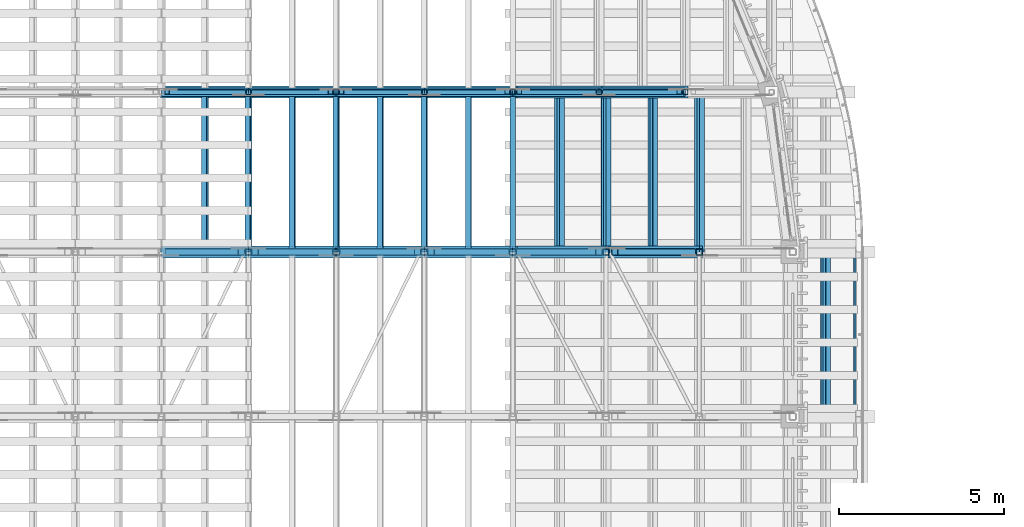
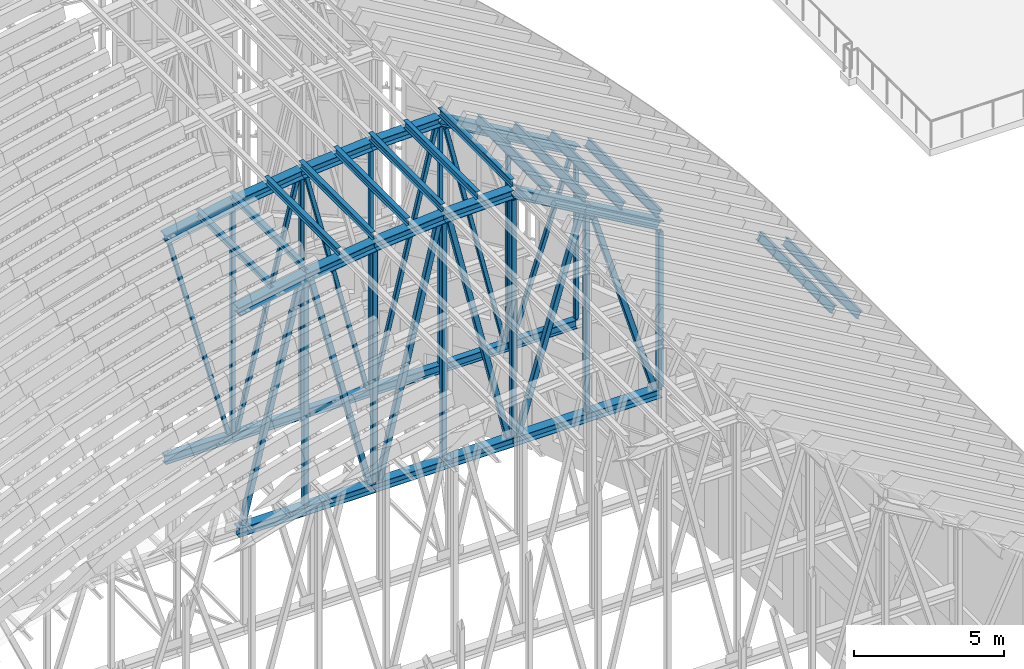
# One storey, part 25 of 105: 62 members.
"""IFC4 building model written with IfcOpenShell, lengths in metres."""

from ifc_helpers import new_model, si_unit, direction, frame, origin, origin_2d, place, context, subcontext, project, spatial, hollow_rectangle, i_section, extrude, material, material_profile, profile_set, type_object, element, save


model = new_model("IFC4")

# Units and contexts
model_context = context("Model", 3, precision=1e-05, world=origin(), true_north=direction((0.0, 1.0)))
body_context = subcontext(model_context, "Body", "Model", "MODEL_VIEW")
ifc_project = project(units=[si_unit("LENGTHUNIT", "METRE"), si_unit("AREAUNIT", "SQUARE_METRE"), si_unit("VOLUMEUNIT", "CUBIC_METRE"), si_unit("PLANEANGLEUNIT", "RADIAN"), si_unit("MASSUNIT", "GRAM", prefix="KILO")], contexts=[model_context])

# Site, building, storey
site_placement = place(None, origin())
site = spatial("IfcSite", under=ifc_project, at=site_placement, CompositionType="ELEMENT")
building_placement = place(site_placement, origin())
building = spatial("IfcBuilding", under=site, at=building_placement, Name="Wasatch Bagh Community Centre", CompositionType="ELEMENT")
storey_placement = place(building_placement, frame((0.0, 0.0, 16.800048828125)))
storey = spatial("IfcBuildingStorey", under=building, at=storey_placement, Name="L04", CompositionType="ELEMENT", Elevation=16.800048828125)

# Members
ifc_material_1 = material(Name="ASTM A500 Grade C steel", Category="steel")
ifc_material_profile_1 = material_profile(ifc_material_1, hollow_rectangle(XDim=0.15234375, YDim=0.15234375, WallThickness=0.0087890625, InnerFilletRadius=0.0087890625, OuterFilletRadius=0.017822265625, at=origin_2d()), Name="HSS6x6x3/8")
ifc_profile_set_1 = profile_set([ifc_material_profile_1], Name="ASTM A500 Grade C steel")
member_type_1 = type_object("IfcMemberType", Name="HSS6x6x3/8 brace", PredefinedType="BRACE", material=ifc_profile_set_1)
member_1_placement = place(storey_placement, frame((38.057373046875, 69.852783203125, 8.090576171875), z_axis=(-0.257394899199, 0.0, 0.966306300231), x_axis=(0.0, -1.0, 0.0)))
element("IfcMember", 1, at=member_1_placement, inside=storey, type_object=member_type_1, Name="MH.TN1.WB08", PredefinedType="BRACE", context=body_context, shape_type="SweptSolid", body=[
    extrude(hollow_rectangle(XDim=0.15234375, YDim=0.15234375, WallThickness=0.0087890625, InnerFilletRadius=0.0087890625, OuterFilletRadius=0.017822265625, at=origin_2d()), origin(), (0.0, 0.0, 1.0), 8.96728515625),
])
member_2_placement = place(storey_placement, frame((38.39111328125, 69.852783203125, 8.08935546875), z_axis=(0.239854300231, 0.0, 0.970808897086), x_axis=(0.0, 1.0, 0.0)))
element("IfcMember", 2, at=member_2_placement, inside=storey, type_object=member_type_1, Name="MH.TN1.WB09", PredefinedType="BRACE", context=body_context, shape_type="SweptSolid", body=[
    extrude(hollow_rectangle(XDim=0.15234375, YDim=0.15234375, WallThickness=0.0087890625, InnerFilletRadius=0.0087890625, OuterFilletRadius=0.017822265625, at=origin_2d()), origin(), (0.0, 0.0, 1.0), 9.70849609375),
])
member_3_placement = place(storey_placement, frame((43.401123046875, 69.852783203125, 8.08935546875), z_axis=(-0.240640528946, 0.0, 0.970614308481), x_axis=(0.0, -1.0, 0.0)))
element("IfcMember", 3, at=member_3_placement, inside=storey, type_object=member_type_1, Name="MH.TN1.WB10", PredefinedType="BRACE", context=body_context, shape_type="SweptSolid", body=[
    extrude(hollow_rectangle(XDim=0.15234375, YDim=0.15234375, WallThickness=0.0087890625, InnerFilletRadius=0.0087890625, OuterFilletRadius=0.017822265625, at=origin_2d()), origin(), (0.0, 0.0, 1.0), 9.762939453125),
])
member_4_placement = place(storey_placement, frame((43.7294921875, 69.852783203125, 8.089111328125), z_axis=(0.23546246071, 0.0, 0.97188344445), x_axis=(0.0, 1.0, 0.0)))
element("IfcMember", 4, at=member_4_placement, inside=storey, type_object=member_type_1, Name="MH.TN1.WB11", PredefinedType="BRACE", context=body_context, shape_type="SweptSolid", body=[
    extrude(hollow_rectangle(XDim=0.15234375, YDim=0.15234375, WallThickness=0.0087890625, InnerFilletRadius=0.0087890625, OuterFilletRadius=0.017822265625, at=origin_2d()), origin(), (0.0, 0.0, 1.0), 10.006591796875),
])
member_5_placement = place(storey_placement, frame((48.707763671875, 69.852783203125, 8.088623046875), z_axis=(-0.231072135751, 0.0, 0.972936620793), x_axis=(0.0, -1.0, 0.0)))
element("IfcMember", 5, at=member_5_placement, inside=storey, type_object=member_type_1, Name="MH.TN1.WB12", PredefinedType="BRACE", context=body_context, shape_type="SweptSolid", body=[
    extrude(hollow_rectangle(XDim=0.15234375, YDim=0.15234375, WallThickness=0.0087890625, InnerFilletRadius=0.0087890625, OuterFilletRadius=0.017822265625, at=origin_2d()), origin(), (0.0, 0.0, 1.0), 9.791015625),
])
member_6_placement = place(storey_placement, frame((49.05517578125, 69.852783203125, 8.09521484375), z_axis=(0.316774290985, 0.0, 0.948500948113), x_axis=(0.0, 1.0, 0.0)))
element("IfcMember", 6, at=member_6_placement, inside=storey, type_object=member_type_1, Name="MH.TN1.WB13", PredefinedType="BRACE", context=body_context, shape_type="SweptSolid", body=[
    extrude(hollow_rectangle(XDim=0.15234375, YDim=0.15234375, WallThickness=0.0087890625, InnerFilletRadius=0.0087890625, OuterFilletRadius=0.017822265625, at=origin_2d()), origin(), (0.0, 0.0, 1.0), 7.10205078125),
])
ifc_material_profile_2 = material_profile(ifc_material_1, hollow_rectangle(XDim=0.15234375, YDim=0.15234375, WallThickness=0.0087890625, InnerFilletRadius=0.0087890625, OuterFilletRadius=0.017822265625, at=origin_2d()), Name="HSS6x6x3/8")
ifc_profile_set_2 = profile_set([ifc_material_profile_2], Name="ASTM A500 Grade C steel")
member_type_2 = type_object("IfcMemberType", Name="HSS6x6x3/8 post", PredefinedType="POST", material=ifc_profile_set_2)
member_7_placement = place(storey_placement, frame((38.226318359375, 69.852783203125, 8.070556640625), z_axis=(0.0, 0.0, 1.0), x_axis=(1.0, 0.0, 0.0)))
element("IfcMember", 7, at=member_7_placement, inside=storey, type_object=member_type_2, Name="MH.TN1.PS09", PredefinedType="POST", context=body_context, shape_type="SweptSolid", body=[
    extrude(hollow_rectangle(XDim=0.15234375, YDim=0.15234375, WallThickness=0.0087890625, InnerFilletRadius=0.0087890625, OuterFilletRadius=0.017822265625, at=origin_2d()), origin(), (0.0, 0.0, 1.0), 9.13134765625),
])
member_8_placement = place(storey_placement, frame((40.88916015625, 69.852783203125, 8.070556640625), z_axis=(0.0, 0.0, 1.0), x_axis=(1.0, 0.0, 0.0)))
element("IfcMember", 8, at=member_8_placement, inside=storey, type_object=member_type_2, Name="MH.TN1.PS10", PredefinedType="POST", context=body_context, shape_type="SweptSolid", body=[
    extrude(hollow_rectangle(XDim=0.15234375, YDim=0.15234375, WallThickness=0.0087890625, InnerFilletRadius=0.0087890625, OuterFilletRadius=0.017822265625, at=origin_2d()), origin(), (0.0, 0.0, 1.0), 9.48388671875),
])
member_9_placement = place(storey_placement, frame((43.56591796875, 69.852783203125, 8.070556640625), z_axis=(0.0, 0.0, 1.0), x_axis=(1.0, 0.0, 0.0)))
element("IfcMember", 9, at=member_9_placement, inside=storey, type_object=member_type_2, Name="MH.TN1.PS11", PredefinedType="POST", context=body_context, shape_type="SweptSolid", body=[
    extrude(hollow_rectangle(XDim=0.15234375, YDim=0.15234375, WallThickness=0.0087890625, InnerFilletRadius=0.0087890625, OuterFilletRadius=0.017822265625, at=origin_2d()), origin(), (0.0, 0.0, 1.0), 9.697265625),
])
member_10_placement = place(storey_placement, frame((46.25, 69.852783203125, 8.070556640625), z_axis=(0.0, 0.0, 1.0), x_axis=(1.0, 0.0, 0.0)))
element("IfcMember", 10, at=member_10_placement, inside=storey, type_object=member_type_2, Name="MH.TN1.PS12", PredefinedType="POST", context=body_context, shape_type="SweptSolid", body=[
    extrude(hollow_rectangle(XDim=0.15234375, YDim=0.15234375, WallThickness=0.0087890625, InnerFilletRadius=0.0087890625, OuterFilletRadius=0.017822265625, at=origin_2d()), origin(), (0.0, 0.0, 1.0), 9.67431640625),
])
member_11_placement = place(storey_placement, frame((48.870361328125, 69.852783203125, 8.070556640625), z_axis=(0.0, 0.0, 1.0), x_axis=(1.0, 0.0, 0.0)))
element("IfcMember", 11, at=member_11_placement, inside=storey, type_object=member_type_2, Name="MH.TN1.PS13", PredefinedType="POST", context=body_context, shape_type="SweptSolid", body=[
    extrude(hollow_rectangle(XDim=0.15234375, YDim=0.15234375, WallThickness=0.0087890625, InnerFilletRadius=0.0087890625, OuterFilletRadius=0.017822265625, at=origin_2d()), origin(), (0.0, 0.0, 1.0), 8.16015625),
])
member_12_placement = place(storey_placement, frame((51.49072265625, 69.852783203125, 8.070556640625), z_axis=(0.0, 0.0, 1.0), x_axis=(1.0, 0.0, 0.0)))
element("IfcMember", 12, at=member_12_placement, inside=storey, type_object=member_type_2, Name="MH.TN1.PS14", PredefinedType="POST", context=body_context, shape_type="SweptSolid", body=[
    extrude(hollow_rectangle(XDim=0.15234375, YDim=0.15234375, WallThickness=0.0087890625, InnerFilletRadius=0.0087890625, OuterFilletRadius=0.017822265625, at=origin_2d()), origin(), (0.0, 0.0, 1.0), 6.625244140625),
])
ifc_material_profile_3 = material_profile(ifc_material_1, hollow_rectangle(XDim=0.203125, YDim=0.203125, WallThickness=0.01171875, InnerFilletRadius=0.01171875, OuterFilletRadius=0.023681640625, at=origin_2d()), Name="HSS8x8x1/2")
ifc_profile_set_3 = profile_set([ifc_material_profile_3], Name="ASTM A500 Grade C steel")
member_type_3 = type_object("IfcMemberType", Name="HSS8x8x1/2 post", PredefinedType="POST", material=ifc_profile_set_3)
member_13_placement = place(storey_placement, frame((38.226318359375, 65.0, 8.070556640625), z_axis=(0.0, 0.0, 1.0), x_axis=(1.0, 0.0, 0.0)))
element("IfcMember", 13, at=member_13_placement, inside=storey, type_object=member_type_3, Name="MH.TA7.PS10", PredefinedType="POST", context=body_context, shape_type="SweptSolid", body=[
    extrude(hollow_rectangle(XDim=0.203125, YDim=0.203125, WallThickness=0.01171875, InnerFilletRadius=0.01171875, OuterFilletRadius=0.023681640625, at=origin_2d()), origin(), (0.0, 0.0, 1.0), 9.114013671875),
])
member_14_placement = place(storey_placement, frame((40.88916015625, 65.0, 8.070556640625), z_axis=(0.0, 0.0, 1.0), x_axis=(1.0, 0.0, 0.0)))
element("IfcMember", 14, at=member_14_placement, inside=storey, type_object=member_type_3, Name="MH.TA7.PS11", PredefinedType="POST", context=body_context, shape_type="SweptSolid", body=[
    extrude(hollow_rectangle(XDim=0.203125, YDim=0.203125, WallThickness=0.01171875, InnerFilletRadius=0.01171875, OuterFilletRadius=0.023681640625, at=origin_2d()), origin(), (0.0, 0.0, 1.0), 9.4677734375),
])
member_15_placement = place(storey_placement, frame((43.56591796875, 65.0, 8.070556640625), z_axis=(0.0, 0.0, 1.0), x_axis=(1.0, 0.0, 0.0)))
element("IfcMember", 15, at=member_15_placement, inside=storey, type_object=member_type_3, Name="MH.TA7.PS12", PredefinedType="POST", context=body_context, shape_type="SweptSolid", body=[
    extrude(hollow_rectangle(XDim=0.203125, YDim=0.203125, WallThickness=0.01171875, InnerFilletRadius=0.01171875, OuterFilletRadius=0.023681640625, at=origin_2d()), origin(), (0.0, 0.0, 1.0), 9.6826171875),
])
member_16_placement = place(storey_placement, frame((46.25, 65.0, 8.070556640625), z_axis=(0.0, 0.0, 1.0), x_axis=(1.0, 0.0, 0.0)))
element("IfcMember", 16, at=member_16_placement, inside=storey, type_object=member_type_3, Name="MH.TA7.PS13", PredefinedType="POST", context=body_context, shape_type="SweptSolid", body=[
    extrude(hollow_rectangle(XDim=0.203125, YDim=0.203125, WallThickness=0.01171875, InnerFilletRadius=0.01171875, OuterFilletRadius=0.023681640625, at=origin_2d()), origin(), (0.0, 0.0, 1.0), 9.64501953125),
])
member_17_placement = place(storey_placement, frame((49.083251953125, 65.0, 8.070556640625), z_axis=(0.0, 0.0, 1.0), x_axis=(1.0, 0.0, 0.0)))
element("IfcMember", 17, at=member_17_placement, inside=storey, type_object=member_type_3, Name="MH.TA7.PS14", PredefinedType="POST", context=body_context, shape_type="SweptSolid", body=[
    extrude(hollow_rectangle(XDim=0.203125, YDim=0.203125, WallThickness=0.01171875, InnerFilletRadius=0.01171875, OuterFilletRadius=0.023681640625, at=origin_2d()), origin(), (0.0, 0.0, 1.0), 8.007568359375),
])
member_18_placement = place(storey_placement, frame((51.916748046875, 65.0, 8.070556640625), z_axis=(0.0, 0.0, 1.0), x_axis=(1.0, 0.0, 0.0)))
element("IfcMember", 18, at=member_18_placement, inside=storey, type_object=member_type_3, Name="MH.TA7.PS15", PredefinedType="POST", context=body_context, shape_type="SweptSolid", body=[
    extrude(hollow_rectangle(XDim=0.203125, YDim=0.203125, WallThickness=0.01171875, InnerFilletRadius=0.01171875, OuterFilletRadius=0.023681640625, at=origin_2d()), origin(), (0.0, 0.0, 1.0), 6.34912109375),
])
ifc_material_profile_4 = material_profile(ifc_material_1, hollow_rectangle(XDim=0.203125, YDim=0.203125, WallThickness=0.0087890625, InnerFilletRadius=0.0087890625, OuterFilletRadius=0.017822265625, at=origin_2d()), Name="HSS8x8x3/8")
ifc_profile_set_4 = profile_set([ifc_material_profile_4], Name="ASTM A500 Grade C steel")
member_type_4 = type_object("IfcMemberType", Name="HSS8x8x3/8 brace", PredefinedType="BRACE", material=ifc_profile_set_4)
member_19_placement = place(storey_placement, frame((35.7900390625, 65.0, 8.095458984375), z_axis=(0.239060955477, 0.0, 0.971004562073), x_axis=(0.0, 1.0, 0.0)))
element("IfcMember", 19, at=member_19_placement, inside=storey, type_object=member_type_4, Name="MH.TA7.WB09", PredefinedType="BRACE", context=body_context, shape_type="SweptSolid", body=[
    extrude(hollow_rectangle(XDim=0.203125, YDim=0.203125, WallThickness=0.0087890625, InnerFilletRadius=0.0087890625, OuterFilletRadius=0.017822265625, at=origin_2d()), origin(), (0.0, 0.0, 1.0), 9.29541015625),
])
member_20_placement = place(storey_placement, frame((40.68408203125, 65.0, 8.095458984375), z_axis=(-0.239967720636, 0.0, 0.97078086768), x_axis=(0.0, -1.0, 0.0)))
element("IfcMember", 20, at=member_20_placement, inside=storey, type_object=member_type_4, Name="MH.TA7.WB10", PredefinedType="BRACE", context=body_context, shape_type="SweptSolid", body=[
    extrude(hollow_rectangle(XDim=0.203125, YDim=0.203125, WallThickness=0.0087890625, InnerFilletRadius=0.0087890625, OuterFilletRadius=0.017822265625, at=origin_2d()), origin(), (0.0, 0.0, 1.0), 9.398681640625),
])
member_21_placement = place(storey_placement, frame((41.09130859375, 65.0, 8.094482421875), z_axis=(0.229488169753, 0.0, 0.973311450638), x_axis=(0.0, 1.0, 0.0)))
element("IfcMember", 21, at=member_21_placement, inside=storey, type_object=member_type_4, Name="MH.TA7.WB11", PredefinedType="BRACE", context=body_context, shape_type="SweptSolid", body=[
    extrude(hollow_rectangle(XDim=0.203125, YDim=0.203125, WallThickness=0.0087890625, InnerFilletRadius=0.0087890625, OuterFilletRadius=0.017822265625, at=origin_2d()), origin(), (0.0, 0.0, 1.0), 9.883056640625),
])
member_22_placement = place(storey_placement, frame((46.047607421875, 65.0, 8.094482421875), z_axis=(-0.229781671389, 0.0, 0.973242201866), x_axis=(0.0, -1.0, 0.0)))
element("IfcMember", 22, at=member_22_placement, inside=storey, type_object=member_type_4, Name="MH.TA7.WB12", PredefinedType="BRACE", context=body_context, shape_type="SweptSolid", body=[
    extrude(hollow_rectangle(XDim=0.203125, YDim=0.203125, WallThickness=0.0087890625, InnerFilletRadius=0.0087890625, OuterFilletRadius=0.017822265625, at=origin_2d()), origin(), (0.0, 0.0, 1.0), 9.916259765625),
])
member_23_placement = place(storey_placement, frame((46.466796875, 65.0, 8.099853515625), z_axis=(0.28291893223, 0.0, 0.959143825391), x_axis=(0.0, 1.0, 0.0)))
element("IfcMember", 23, at=member_23_placement, inside=storey, type_object=member_type_4, Name="MH.TA7.WB13", PredefinedType="BRACE", context=body_context, shape_type="SweptSolid", body=[
    extrude(hollow_rectangle(XDim=0.203125, YDim=0.203125, WallThickness=0.0087890625, InnerFilletRadius=0.0087890625, OuterFilletRadius=0.017822265625, at=origin_2d()), origin(), (0.0, 0.0, 1.0), 8.481689453125),
])
member_24_placement = place(storey_placement, frame((51.698486328125, 65.0, 8.100341796875), z_axis=(-0.28855246331, 0.0, 0.957464085967), x_axis=(0.0, -1.0, 0.0)))
element("IfcMember", 24, at=member_24_placement, inside=storey, type_object=member_type_4, Name="MH.TA7.WB14", PredefinedType="BRACE", context=body_context, shape_type="SweptSolid", body=[
    extrude(hollow_rectangle(XDim=0.203125, YDim=0.203125, WallThickness=0.0087890625, InnerFilletRadius=0.0087890625, OuterFilletRadius=0.017822265625, at=origin_2d()), origin(), (0.0, 0.0, 1.0), 8.142822265625),
])
ifc_material_2 = material(Name="ASTM A992 Grade 50 steel", Category="steel")
ifc_material_profile_5 = material_profile(ifc_material_2, i_section(OverallWidth=0.164794921875, OverallDepth=0.309814453125, WebThickness=0.005859375, FlangeThickness=0.009765625, at=origin_2d()), Name="W12x26")
ifc_profile_set_5 = profile_set([ifc_material_profile_5], Name="ASTM A992 Grade 50 steel")
member_type_5 = type_object("IfcMemberType", Name="W12x26 purlin", PredefinedType="PURLIN", material=ifc_profile_set_5)
for number, where, z_axis, x_axis, name in (
    (25, (55.75, 60.0, 12.89404296875), (0.0, 1.0, 0.0), (-0.866025403784, 0.0, 0.5), "MH.TA6-TA7.PU33"),
    (26, (56.75, 60.0, 12.316650390625), (0.0, 1.0, 0.0), (-0.866025403784, 0.0, 0.5), "MH.TA6-TA7.PU34"),
):
    element("IfcMember", number, at=place(storey_placement, frame(where, z_axis=z_axis, x_axis=x_axis)), inside=storey, type_object=member_type_5, Name=name, PredefinedType="PURLIN", context=body_context, shape_type="SweptSolid", body=[
        extrude(i_section(OverallWidth=0.164794921875, OverallDepth=0.309814453125, WebThickness=0.005859375, FlangeThickness=0.009765625, at=origin_2d()), origin(), (0.0, 0.0, 1.0), 5.0),
    ])
for number, where, z_axis, x_axis, name in (
    (27, (36.90576171875, 65.0, 17.493408203125), (0.0, 1.0, 0.0), (-0.983711293114, 0.0, -0.179755644695), "MH.TA7-TN1.PU18"),
    (28, (38.226318359375, 65.0, 17.734619140625), (0.0, 1.0, 0.0), (-0.983711293114, 0.0, -0.179755644695), "MH.TA7-TN1.PU19"),
    (29, (39.5576171875, 65.0, 17.90625), (0.0, 1.0, 0.0), (-0.991678342395, 0.0, -0.12874030148), "MH.TA7-TN1.PU20"),
    (30, (40.88916015625, 65.0, 18.0791015625), (0.0, 1.0, 0.0), (-0.991678342395, 0.0, -0.12874030148), "MH.TA7-TN1.PU21"),
    (31, (42.2275390625, 65.0, 18.18212890625), (0.0, 1.0, 0.0), (-0.997001538098, 0.0, -0.077381735761), "MH.TA7-TN1.PU22"),
    (32, (43.56591796875, 65.0, 18.2861328125), (0.0, 1.0, 0.0), (-0.997001538098, 0.0, -0.077381735761), "MH.TA7-TN1.PU23"),
    (33, (44.907958984375, 65.0, 18.3203125), (0.0, 1.0, 0.0), (-0.999666689368, 0.0, -0.025816858198), "MH.TA7-TN1.PU24"),
    (34, (46.25, 65.0, 18.35498046875), (0.0, 1.0, 0.0), (-0.999666689368, 0.0, -0.025816858198), "MH.TA7-TN1.PU25"),
    (35, (47.666748046875, 65.0, 17.56103515625), (0.0, 1.0, 0.0), (-0.866025403784, 0.0, 0.5), "MH.TA7-TN1.PU26"),
    (36, (49.083251953125, 65.0, 16.742919921875), (0.0, 1.0, 0.0), (-0.866025403784, 0.0, 0.5), "MH.TA7-TN1.PU27"),
    (37, (50.5, 65.0, 15.925048828125), (0.0, 1.0, 0.0), (-0.866025403784, 0.0, 0.5), "MH.TA7-TN1.PU28"),
    (38, (51.916748046875, 65.0, 15.107177734375), (0.0, 1.0, 0.0), (-0.866025403784, 0.0, 0.5), "MH.TA7-TN1.PU29"),
):
    element("IfcMember", number, at=place(storey_placement, frame(where, z_axis=z_axis, x_axis=x_axis)), inside=storey, type_object=member_type_5, Name=name, PredefinedType="PURLIN", context=body_context, shape_type="SweptSolid", body=[
        extrude(i_section(OverallWidth=0.164794921875, OverallDepth=0.309814453125, WebThickness=0.005859375, FlangeThickness=0.009765625, at=origin_2d()), origin(), (0.0, 0.0, 1.0), 4.852783203125),
    ])
ifc_material_profile_6 = material_profile(ifc_material_2, i_section(OverallWidth=0.373291015625, OverallDepth=0.368408203125, WebThickness=0.014892578125, FlangeThickness=0.02392578125, at=origin_2d()), Name="W14x120")
ifc_profile_set_6 = profile_set([ifc_material_profile_6], Name="ASTM A992 Grade 50 steel")
member_type_6 = type_object("IfcMemberType", Name="W14x120 chord", PredefinedType="CHORD", material=ifc_profile_set_6)
member_25_placement = place(storey_placement, frame((35.59033203125, 65.0, 16.907470703125), z_axis=(0.983600080767, 0.0, 0.180363192242), x_axis=(0.0, 1.0, 0.0)))
element("IfcMember", 39, at=member_25_placement, inside=storey, type_object=member_type_6, Name="MH.TA7.TC11", PredefinedType="CHORD", context=body_context, shape_type="SweptSolid", body=[
    extrude(i_section(OverallWidth=0.373291015625, OverallDepth=0.368408203125, WebThickness=0.014892578125, FlangeThickness=0.02392578125, at=origin_2d()), origin(), (0.0, 0.0, 1.0), 2.6748046875),
])
member_26_placement = place(storey_placement, frame((38.231689453125, 65.0, 17.3916015625), z_axis=(0.991622793243, 0.0, 0.129167472378), x_axis=(0.0, 1.0, 0.0)))
element("IfcMember", 40, at=member_26_placement, inside=storey, type_object=member_type_6, Name="MH.TA7.TC12", PredefinedType="CHORD", context=body_context, shape_type="SweptSolid", body=[
    extrude(i_section(OverallWidth=0.373291015625, OverallDepth=0.368408203125, WebThickness=0.014892578125, FlangeThickness=0.02392578125, at=origin_2d()), origin(), (0.0, 0.0, 1.0), 2.674560546875),
])
member_27_placement = place(storey_placement, frame((40.894287109375, 65.0, 17.738037109375), z_axis=(0.996977738737, 0.0, 0.077687762628), x_axis=(0.0, 1.0, 0.0)))
element("IfcMember", 41, at=member_27_placement, inside=storey, type_object=member_type_6, Name="MH.TA7.TC13", PredefinedType="CHORD", context=body_context, shape_type="SweptSolid", body=[
    extrude(i_section(OverallWidth=0.373291015625, OverallDepth=0.368408203125, WebThickness=0.014892578125, FlangeThickness=0.02392578125, at=origin_2d()), origin(), (0.0, 0.0, 1.0), 2.67431640625),
])
member_28_placement = place(storey_placement, frame((43.571533203125, 65.0, 17.9462890625), z_axis=(0.999716831717, 0.0, 0.023796142159), x_axis=(0.0, 1.0, 0.0)))
element("IfcMember", 42, at=member_28_placement, inside=storey, type_object=member_type_6, Name="MH.TA7.TC14", PredefinedType="CHORD", context=body_context, shape_type="SweptSolid", body=[
    extrude(i_section(OverallWidth=0.373291015625, OverallDepth=0.368408203125, WebThickness=0.014892578125, FlangeThickness=0.02392578125, at=origin_2d()), origin(), (0.0, 0.0, 1.0), 2.62646484375),
])
member_29_placement = place(storey_placement, frame((46.295654296875, 65.0, 17.9833984375), z_axis=(0.863012861472, 0.0, -0.505181948345), x_axis=(0.0, 1.0, 0.0)))
element("IfcMember", 43, at=member_29_placement, inside=storey, type_object=member_type_6, Name="MH.TA7.TC15", PredefinedType="CHORD", context=body_context, shape_type="SweptSolid", body=[
    extrude(i_section(OverallWidth=0.373291015625, OverallDepth=0.368408203125, WebThickness=0.014892578125, FlangeThickness=0.02392578125, at=origin_2d()), origin(), (0.0, 0.0, 1.0), 3.229248046875),
])
member_30_placement = place(storey_placement, frame((49.084228515625, 65.0, 16.35107421875), z_axis=(0.866001581989, 0.0, -0.50004125829), x_axis=(0.0, 1.0, 0.0)))
element("IfcMember", 44, at=member_30_placement, inside=storey, type_object=member_type_6, Name="MH.TA7.TC16", PredefinedType="CHORD", context=body_context, shape_type="SweptSolid", body=[
    extrude(i_section(OverallWidth=0.373291015625, OverallDepth=0.368408203125, WebThickness=0.014892578125, FlangeThickness=0.02392578125, at=origin_2d()), origin(), (0.0, 0.0, 1.0), 3.270263671875),
])
ifc_material_profile_7 = material_profile(ifc_material_2, i_section(OverallWidth=0.25390625, OverallDepth=0.355712890625, WebThickness=0.010498046875, FlangeThickness=0.018310546875, at=origin_2d()), Name="W14x68")
ifc_profile_set_7 = profile_set([ifc_material_profile_7], Name="ASTM A992 Grade 50 steel")
member_type_7 = type_object("IfcMemberType", Name="W14x68 chord", PredefinedType="CHORD", material=ifc_profile_set_7)
member_31_placement = place(storey_placement, frame((35.585205078125, 69.852783203125, 7.892822265625), z_axis=(1.0, 0.0, 0.0), x_axis=(0.0, 1.0, 0.0)))
element("IfcMember", 45, at=member_31_placement, inside=storey, type_object=member_type_7, Name="MH.TN1.BC08", PredefinedType="CHORD", context=body_context, shape_type="SweptSolid", body=[
    extrude(i_section(OverallWidth=0.25390625, OverallDepth=0.355712890625, WebThickness=0.010498046875, FlangeThickness=0.018310546875, at=origin_2d()), origin(), (0.0, 0.0, 1.0), 2.64111328125),
])
member_32_placement = place(storey_placement, frame((38.226318359375, 69.852783203125, 7.892822265625), z_axis=(1.0, 0.0, 0.0), x_axis=(0.0, 1.0, 0.0)))
element("IfcMember", 46, at=member_32_placement, inside=storey, type_object=member_type_7, Name="MH.TN1.BC09", PredefinedType="CHORD", context=body_context, shape_type="SweptSolid", body=[
    extrude(i_section(OverallWidth=0.25390625, OverallDepth=0.355712890625, WebThickness=0.010498046875, FlangeThickness=0.018310546875, at=origin_2d()), origin(), (0.0, 0.0, 1.0), 2.662841796875),
])
member_33_placement = place(storey_placement, frame((40.88916015625, 69.852783203125, 7.892822265625), z_axis=(1.0, 0.0, 0.0), x_axis=(0.0, 1.0, 0.0)))
element("IfcMember", 47, at=member_33_placement, inside=storey, type_object=member_type_7, Name="MH.TN1.BC10", PredefinedType="CHORD", context=body_context, shape_type="SweptSolid", body=[
    extrude(i_section(OverallWidth=0.25390625, OverallDepth=0.355712890625, WebThickness=0.010498046875, FlangeThickness=0.018310546875, at=origin_2d()), origin(), (0.0, 0.0, 1.0), 2.6767578125),
])
member_34_placement = place(storey_placement, frame((43.56591796875, 69.852783203125, 7.892822265625), z_axis=(1.0, 0.0, 0.0), x_axis=(0.0, 1.0, 0.0)))
element("IfcMember", 48, at=member_34_placement, inside=storey, type_object=member_type_7, Name="MH.TN1.BC11", PredefinedType="CHORD", context=body_context, shape_type="SweptSolid", body=[
    extrude(i_section(OverallWidth=0.25390625, OverallDepth=0.355712890625, WebThickness=0.010498046875, FlangeThickness=0.018310546875, at=origin_2d()), origin(), (0.0, 0.0, 1.0), 2.68408203125),
])
for number, where, z_axis, x_axis, name in (
    (49, (46.25, 69.852783203125, 7.892822265625), (1.0, 0.0, 0.0), (0.0, 1.0, 0.0), "MH.TN1.BC12"),
    (50, (48.870361328125, 69.852783203125, 7.892822265625), (1.0, 0.0, 0.0), (0.0, 1.0, 0.0), "MH.TN1.BC13"),
):
    element("IfcMember", number, at=place(storey_placement, frame(where, z_axis=z_axis, x_axis=x_axis)), inside=storey, type_object=member_type_7, Name=name, PredefinedType="CHORD", context=body_context, shape_type="SweptSolid", body=[
        extrude(i_section(OverallWidth=0.25390625, OverallDepth=0.355712890625, WebThickness=0.010498046875, FlangeThickness=0.018310546875, at=origin_2d()), origin(), (0.0, 0.0, 1.0), 2.620361328125),
    ])
ifc_material_profile_8 = material_profile(ifc_material_2, i_section(OverallWidth=0.368408203125, OverallDepth=0.355712890625, WebThickness=0.01123046875, FlangeThickness=0.01806640625, at=origin_2d()), Name="W14x90")
ifc_profile_set_8 = profile_set([ifc_material_profile_8], Name="ASTM A992 Grade 50 steel")
member_type_8 = type_object("IfcMemberType", Name="W14x90 chord", PredefinedType="CHORD", material=ifc_profile_set_8)
member_35_placement = place(storey_placement, frame((35.585205078125, 65.0, 7.892822265625), z_axis=(1.0, 0.0, 0.0), x_axis=(0.0, 1.0, 0.0)))
element("IfcMember", 51, at=member_35_placement, inside=storey, type_object=member_type_8, Name="MH.TA7.BC09", PredefinedType="CHORD", context=body_context, shape_type="SweptSolid", body=[
    extrude(i_section(OverallWidth=0.368408203125, OverallDepth=0.355712890625, WebThickness=0.01123046875, FlangeThickness=0.01806640625, at=origin_2d()), origin(), (0.0, 0.0, 1.0), 2.64111328125),
])
member_36_placement = place(storey_placement, frame((38.226318359375, 65.0, 7.892822265625), z_axis=(1.0, 0.0, 0.0), x_axis=(0.0, 1.0, 0.0)))
element("IfcMember", 52, at=member_36_placement, inside=storey, type_object=member_type_8, Name="MH.TA7.BC10", PredefinedType="CHORD", context=body_context, shape_type="SweptSolid", body=[
    extrude(i_section(OverallWidth=0.368408203125, OverallDepth=0.355712890625, WebThickness=0.01123046875, FlangeThickness=0.01806640625, at=origin_2d()), origin(), (0.0, 0.0, 1.0), 2.662841796875),
])
member_37_placement = place(storey_placement, frame((40.88916015625, 65.0, 7.892822265625), z_axis=(1.0, 0.0, 0.0), x_axis=(0.0, 1.0, 0.0)))
element("IfcMember", 53, at=member_37_placement, inside=storey, type_object=member_type_8, Name="MH.TA7.BC11", PredefinedType="CHORD", context=body_context, shape_type="SweptSolid", body=[
    extrude(i_section(OverallWidth=0.368408203125, OverallDepth=0.355712890625, WebThickness=0.01123046875, FlangeThickness=0.01806640625, at=origin_2d()), origin(), (0.0, 0.0, 1.0), 2.6767578125),
])
member_38_placement = place(storey_placement, frame((43.56591796875, 65.0, 7.892822265625), z_axis=(1.0, 0.0, 0.0), x_axis=(0.0, 1.0, 0.0)))
element("IfcMember", 54, at=member_38_placement, inside=storey, type_object=member_type_8, Name="MH.TA7.BC12", PredefinedType="CHORD", context=body_context, shape_type="SweptSolid", body=[
    extrude(i_section(OverallWidth=0.368408203125, OverallDepth=0.355712890625, WebThickness=0.01123046875, FlangeThickness=0.01806640625, at=origin_2d()), origin(), (0.0, 0.0, 1.0), 2.68408203125),
])
member_39_placement = place(storey_placement, frame((46.25, 65.0, 7.892822265625), z_axis=(1.0, 0.0, 0.0), x_axis=(0.0, 1.0, 0.0)))
element("IfcMember", 55, at=member_39_placement, inside=storey, type_object=member_type_8, Name="MH.TA7.BC13", PredefinedType="CHORD", context=body_context, shape_type="SweptSolid", body=[
    extrude(i_section(OverallWidth=0.368408203125, OverallDepth=0.355712890625, WebThickness=0.01123046875, FlangeThickness=0.01806640625, at=origin_2d()), origin(), (0.0, 0.0, 1.0), 2.833251953125),
])
member_40_placement = place(storey_placement, frame((49.083251953125, 65.0, 7.892822265625), z_axis=(1.0, 0.0, 0.0), x_axis=(0.0, 1.0, 0.0)))
element("IfcMember", 56, at=member_40_placement, inside=storey, type_object=member_type_8, Name="MH.TA7.BC14", PredefinedType="CHORD", context=body_context, shape_type="SweptSolid", body=[
    extrude(i_section(OverallWidth=0.368408203125, OverallDepth=0.355712890625, WebThickness=0.01123046875, FlangeThickness=0.01806640625, at=origin_2d()), origin(), (0.0, 0.0, 1.0), 2.83349609375),
])
for number, where, z_axis, x_axis, name in (
    (57, (35.59033203125, 69.852783203125, 16.913818359375), (0.983603049686, 0.0, 0.180347000666), (0.0, 1.0, 0.0), "MH.TN1.TC10"),
    (58, (38.2314453125, 69.852783203125, 17.39794921875), (0.991625838438, 0.0, 0.129144092167), (0.0, 1.0, 0.0), "MH.TN1.TC11"),
):
    element("IfcMember", number, at=place(storey_placement, frame(where, z_axis=z_axis, x_axis=x_axis)), inside=storey, type_object=member_type_8, Name=name, PredefinedType="CHORD", context=body_context, shape_type="SweptSolid", body=[
        extrude(i_section(OverallWidth=0.368408203125, OverallDepth=0.355712890625, WebThickness=0.01123046875, FlangeThickness=0.01806640625, at=origin_2d()), origin(), (0.0, 0.0, 1.0), 2.675048828125),
    ])
member_41_placement = place(storey_placement, frame((40.89404296875, 69.852783203125, 17.74462890625), z_axis=(0.99698535495, 0.0, 0.077589960786), x_axis=(0.0, 1.0, 0.0)))
element("IfcMember", 59, at=member_41_placement, inside=storey, type_object=member_type_8, Name="MH.TN1.TC12", PredefinedType="CHORD", context=body_context, shape_type="SweptSolid", body=[
    extrude(i_section(OverallWidth=0.368408203125, OverallDepth=0.355712890625, WebThickness=0.01123046875, FlangeThickness=0.01806640625, at=origin_2d()), origin(), (0.0, 0.0, 1.0), 2.674560546875),
])
member_42_placement = place(storey_placement, frame((43.5712890625, 69.852783203125, 17.95263671875), z_axis=(0.999715039998, 0.0, 0.023871296598), x_axis=(0.0, 1.0, 0.0)))
element("IfcMember", 60, at=member_42_placement, inside=storey, type_object=member_type_8, Name="MH.TN1.TC13", PredefinedType="CHORD", context=body_context, shape_type="SweptSolid", body=[
    extrude(i_section(OverallWidth=0.368408203125, OverallDepth=0.355712890625, WebThickness=0.01123046875, FlangeThickness=0.01806640625, at=origin_2d()), origin(), (0.0, 0.0, 1.0), 2.62841796875),
])
member_43_placement = place(storey_placement, frame((46.2939453125, 69.852783203125, 17.99072265625), z_axis=(0.862908331371, 0.0, -0.505360476937), x_axis=(0.0, 1.0, 0.0)))
element("IfcMember", 61, at=member_43_placement, inside=storey, type_object=member_type_8, Name="MH.TN1.TC14", PredefinedType="CHORD", context=body_context, shape_type="SweptSolid", body=[
    extrude(i_section(OverallWidth=0.368408203125, OverallDepth=0.355712890625, WebThickness=0.01123046875, FlangeThickness=0.01806640625, at=origin_2d()), origin(), (0.0, 0.0, 1.0), 2.984619140625),
])
member_44_placement = place(storey_placement, frame((48.871337890625, 69.852783203125, 16.481201171875), z_axis=(0.866033665757, 0.0, -0.499985689571), x_axis=(0.0, 1.0, 0.0)))
element("IfcMember", 62, at=member_44_placement, inside=storey, type_object=member_type_8, Name="MH.TN1.TC15", PredefinedType="CHORD", context=body_context, shape_type="SweptSolid", body=[
    extrude(i_section(OverallWidth=0.368408203125, OverallDepth=0.355712890625, WebThickness=0.01123046875, FlangeThickness=0.01806640625, at=origin_2d()), origin(), (0.0, 0.0, 1.0), 3.02392578125),
])

save(model, "model.ifc")
